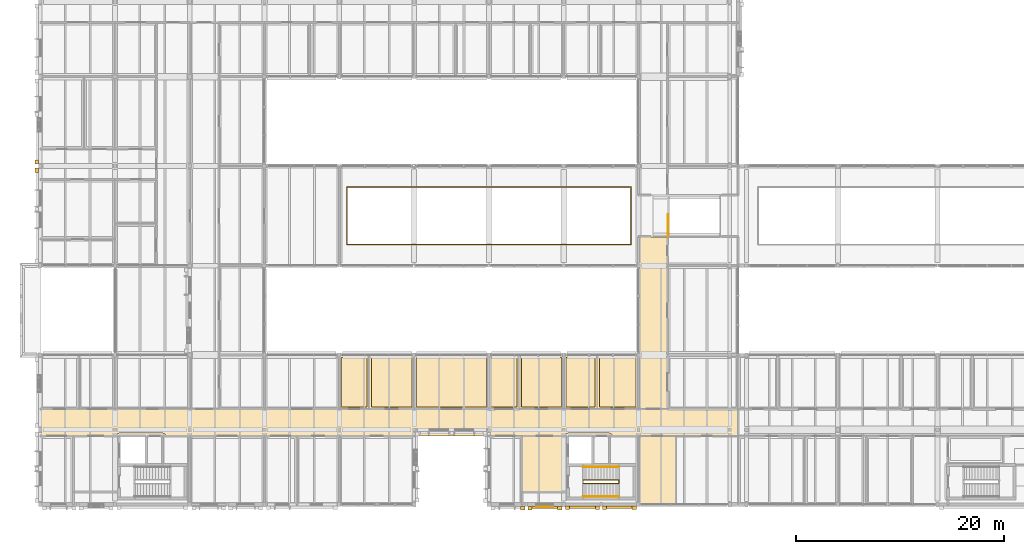
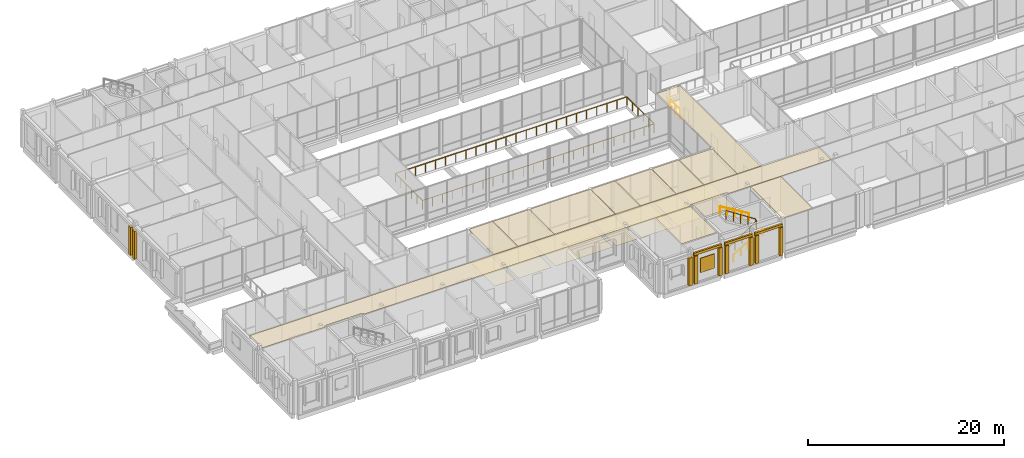
# One storey, part 134 of 146: 30 coverings, 5 railings, 1 shading device.
"""IFC4 building model written with IfcOpenShell, lengths in metres."""

from ifc_helpers import new_model, si_unit, direction, frame, origin, origin_2d, place, context, subcontext, project, spatial, polyline, rectangle, circle, outline, extrude, material, layer, layer_set, type_object, element, save


model = new_model("IFC4")

# Units and contexts
model_context = context("Model", 3, precision=1e-05, world=origin(), true_north=direction((0.0, 1.0)))
body_context = subcontext(model_context, "Body", "Model", "MODEL_VIEW")
ifc_project = project(units=[si_unit("LENGTHUNIT", "METRE"), si_unit("AREAUNIT", "SQUARE_METRE"), si_unit("VOLUMEUNIT", "CUBIC_METRE"), si_unit("PLANEANGLEUNIT", "RADIAN"), si_unit("MASSUNIT", "GRAM", prefix="KILO")], contexts=[model_context])

# Site, building, storey
site_placement = place(None, origin())
site = spatial("IfcSite", under=ifc_project, at=site_placement, CompositionType="ELEMENT")
building_placement = place(site_placement, origin())
building = spatial("IfcBuilding", under=site, at=building_placement, Name="Hawrajan Terrace Health Centre", CompositionType="ELEMENT")
storey_placement = place(building_placement, frame((0.0, 0.0, 4.5)))
storey = spatial("IfcBuildingStorey", under=building, at=storey_placement, Name="L01", CompositionType="ELEMENT", Elevation=4.5)

# Coverings
ifc_material_1 = material(Name="Precast concrete C40/50", Category="concrete")
ifc_layer_1 = layer(ifc_material_1, 0.219970703125)
ifc_layer_set_1 = layer_set([ifc_layer_1], Name="Precast concrete C40/50")
covering_type_1 = type_object("IfcCoveringType", Name="ArtDecoCorniceBand", PredefinedType="CLADDING", material=ifc_layer_set_1)
for number, where, z_axis, x_axis, name in (
    (1, (53.179931640625, 3.929931640625, 3.48974609375), (0.0, 0.0, 1.0), (1.0, 0.0, 0.0), "Art Deco limestone cornice band CRN-L01-0070"),
    (2, (56.820068359375, 3.93994140625, 3.48974609375), (0.0, 0.0, 1.0), (1.0, 0.0, 0.0), "Art Deco limestone cornice band CRN-L01-0074"),
):
    element("IfcCovering", number, at=place(storey_placement, frame(where, z_axis=z_axis, x_axis=x_axis)), inside=storey, type_object=covering_type_1, Name=name, PredefinedType="CLADDING", context=body_context, shape_type="SweptSolid", body=[
        extrude(rectangle(XDim=3.280029296875, YDim=0.219970703125, at=origin_2d()), origin(), (0.0, 0.0, 1.0), 0.300048828125),
    ])
covering_1_placement = place(storey_placement, frame((60.3701171875, 3.93994140625, 3.48974609375), z_axis=(0.0, 0.0, 1.0), x_axis=(1.0, 0.0, 0.0)))
element("IfcCovering", 3, at=covering_1_placement, inside=storey, type_object=covering_type_1, Name="Art Deco limestone cornice band CRN-L01-0075", PredefinedType="CLADDING", context=body_context, shape_type="SweptSolid", body=[
    extrude(rectangle(XDim=3.260009765625, YDim=0.219970703125, at=origin_2d()), origin(), (0.0, 0.0, 1.0), 0.300048828125),
])
ifc_layer_2 = layer(ifc_material_1, 0.340087890625)
ifc_layer_set_2 = layer_set([ifc_layer_2], Name="Precast concrete C40/50")
covering_type_2 = type_object("IfcCoveringType", Name="ArtDecoStonePilaster", PredefinedType="CLADDING", material=ifc_layer_set_2)
for number, where, z_axis, x_axis, name in (
    (4, (4.280029296875, 36.39990234375, 0.0), (0.0, 0.0, 1.0), (0.0, 1.0, 0.0), "Art Deco fluted limestone pilaster FPIL-L01-0073"),
    (5, (4.27001953125, 37.199951171875, 0.0), (0.0, 0.0, 1.0), (0.0, 1.0, 0.0), "Art Deco fluted limestone pilaster FPIL-L01-0075"),
    (6, (51.06005859375, 3.8701171875, 0.0), (0.0, 0.0, 1.0), (1.0, 0.0, 0.0), "Art Deco fluted limestone pilaster FPIL-L01-0114"),
    (7, (51.739990234375, 3.8701171875, 0.0), (0.0, 0.0, 1.0), (1.0, 0.0, 0.0), "Art Deco fluted limestone pilaster FPIL-L01-0115"),
    (8, (54.6201171875, 3.8701171875, 0.0), (0.0, 0.0, 1.0), (1.0, 0.0, 0.0), "Art Deco fluted limestone pilaster FPIL-L01-0116"),
    (9, (55.3798828125, 3.8798828125, 0.0), (0.0, 0.0, 1.0), (1.0, 0.0, 0.0), "Art Deco fluted limestone pilaster FPIL-L01-0124"),
    (10, (58.260009765625, 3.8798828125, 0.0), (0.0, 0.0, 1.0), (1.0, 0.0, 0.0), "Art Deco fluted limestone pilaster FPIL-L01-0125"),
    (11, (58.93994140625, 3.8798828125, 0.0), (0.0, 0.0, 1.0), (1.0, 0.0, 0.0), "Art Deco fluted limestone pilaster FPIL-L01-0126"),
    (12, (61.800048828125, 3.8798828125, 0.0), (0.0, 0.0, 1.0), (1.0, 0.0, 0.0), "Art Deco fluted limestone pilaster FPIL-L01-0127"),
):
    element("IfcCovering", number, at=place(storey_placement, frame(where, z_axis=z_axis, x_axis=x_axis)), inside=storey, type_object=covering_type_2, Name=name, PredefinedType="CLADDING", context=body_context, shape_type="SweptSolid", body=[
        extrude(rectangle(XDim=0.39990234375, YDim=0.340087890625, at=origin_2d()), origin(), (0.0, 0.0, 1.0), 3.47998046875),
    ])

# Railing
ifc_material_2 = material(Name="Anodized bronze and laminated glass balustrade", Category="glass")
railing_type_1 = type_object("IfcRailingType", Name="AtriumBalustrade_1120", PredefinedType="BALUSTRADE", material=ifc_material_2)
railing_1_placement = place(storey_placement, frame((34.1201171875, 29.219970703125, 0.0)))
element("IfcRailing", 13, at=railing_1_placement, inside=storey, type_object=railing_type_1, Name="Waiting Hall atrium gallery balustrade 1", PredefinedType="BALUSTRADE", context=body_context, shape_type="SweptSolid", body=[
    extrude(circle(Radius=0.02392578125, at=origin_2d()), frame((0.02880859375, 0.0, 1.09619140625), z_axis=(1.0, 0.0, 0.0), x_axis=(0.0, 1.0, 0.0)), (0.0, 0.0, 1.0), 27.30224609375),
    extrude(circle(Radius=0.02392578125, at=origin_2d()), frame((27.35986328125, 0.02880859375, 1.09619140625), z_axis=(0.0, 1.0, 0.0), x_axis=(-1.0, 0.0, 0.0)), (0.0, 0.0, 1.0), 5.50244140625),
    extrude(circle(Radius=0.02392578125, at=origin_2d()), frame((27.3310546875, 5.56005859375, 1.09619140625), z_axis=(-1.0, 0.0, 0.0), x_axis=(0.0, -1.0, 0.0)), (0.0, 0.0, 1.0), 27.30224609375),
    extrude(circle(Radius=0.02392578125, at=origin_2d()), frame((0.0, 5.53125, 1.09619140625), z_axis=(0.0, -1.0, 0.0), x_axis=(1.0, 0.0, 0.0)), (0.0, 0.0, 1.0), 5.50244140625),
    extrude(circle(Radius=0.02099609375, at=origin_2d()), origin(), (0.0, 0.0, 1.0), 1.067138671875),
    extrude(circle(Radius=0.02099609375, at=origin_2d()), frame((1.189453125, 0.0, 0.0)), (0.0, 0.0, 1.0), 1.067138671875),
    extrude(circle(Radius=0.02099609375, at=origin_2d()), frame((2.379150390625, 0.0, 0.0)), (0.0, 0.0, 1.0), 1.067138671875),
    extrude(circle(Radius=0.02099609375, at=origin_2d()), frame((3.568603515625, 0.0, 0.0)), (0.0, 0.0, 1.0), 1.067138671875),
    extrude(circle(Radius=0.02099609375, at=origin_2d()), frame((4.75830078125, 0.0, 0.0)), (0.0, 0.0, 1.0), 1.067138671875),
    extrude(circle(Radius=0.02099609375, at=origin_2d()), frame((5.94775390625, 0.0, 0.0)), (0.0, 0.0, 1.0), 1.067138671875),
    extrude(circle(Radius=0.02099609375, at=origin_2d()), frame((7.137451171875, 0.0, 0.0)), (0.0, 0.0, 1.0), 1.067138671875),
    extrude(circle(Radius=0.02099609375, at=origin_2d()), frame((8.326904296875, 0.0, 0.0)), (0.0, 0.0, 1.0), 1.067138671875),
    extrude(circle(Radius=0.02099609375, at=origin_2d()), frame((9.516357421875, 0.0, 0.0)), (0.0, 0.0, 1.0), 1.067138671875),
    extrude(circle(Radius=0.02099609375, at=origin_2d()), frame((10.7060546875, 0.0, 0.0)), (0.0, 0.0, 1.0), 1.067138671875),
    extrude(circle(Radius=0.02099609375, at=origin_2d()), frame((11.8955078125, 0.0, 0.0)), (0.0, 0.0, 1.0), 1.067138671875),
    extrude(circle(Radius=0.02099609375, at=origin_2d()), frame((13.085205078125, 0.0, 0.0)), (0.0, 0.0, 1.0), 1.067138671875),
    extrude(circle(Radius=0.02099609375, at=origin_2d()), frame((14.274658203125, 0.0, 0.0)), (0.0, 0.0, 1.0), 1.067138671875),
    extrude(circle(Radius=0.02099609375, at=origin_2d()), frame((15.46435546875, 0.0, 0.0)), (0.0, 0.0, 1.0), 1.067138671875),
    extrude(circle(Radius=0.02099609375, at=origin_2d()), frame((16.65380859375, 0.0, 0.0)), (0.0, 0.0, 1.0), 1.067138671875),
    extrude(circle(Radius=0.02099609375, at=origin_2d()), frame((17.843505859375, 0.0, 0.0)), (0.0, 0.0, 1.0), 1.067138671875),
    extrude(circle(Radius=0.02099609375, at=origin_2d()), frame((19.032958984375, 0.0, 0.0)), (0.0, 0.0, 1.0), 1.067138671875),
    extrude(circle(Radius=0.02099609375, at=origin_2d()), frame((20.222412109375, 0.0, 0.0)), (0.0, 0.0, 1.0), 1.067138671875),
    extrude(circle(Radius=0.02099609375, at=origin_2d()), frame((21.412109375, 0.0, 0.0)), (0.0, 0.0, 1.0), 1.067138671875),
    extrude(circle(Radius=0.02099609375, at=origin_2d()), frame((22.6015625, 0.0, 0.0)), (0.0, 0.0, 1.0), 1.067138671875),
    extrude(circle(Radius=0.02099609375, at=origin_2d()), frame((23.791259765625, 0.0, 0.0)), (0.0, 0.0, 1.0), 1.067138671875),
    extrude(circle(Radius=0.02099609375, at=origin_2d()), frame((24.980712890625, 0.0, 0.0)), (0.0, 0.0, 1.0), 1.067138671875),
    extrude(circle(Radius=0.02099609375, at=origin_2d()), frame((26.17041015625, 0.0, 0.0)), (0.0, 0.0, 1.0), 1.067138671875),
    extrude(circle(Radius=0.02099609375, at=origin_2d()), frame((27.35986328125, 0.0, 0.0)), (0.0, 0.0, 1.0), 1.067138671875),
    extrude(circle(Radius=0.02099609375, at=origin_2d()), frame((27.35986328125, 1.112060546875, 0.0)), (0.0, 0.0, 1.0), 1.067138671875),
    extrude(circle(Radius=0.02099609375, at=origin_2d()), frame((27.35986328125, 2.22412109375, 0.0)), (0.0, 0.0, 1.0), 1.067138671875),
    extrude(circle(Radius=0.02099609375, at=origin_2d()), frame((27.35986328125, 3.3359375, 0.0)), (0.0, 0.0, 1.0), 1.067138671875),
    extrude(circle(Radius=0.02099609375, at=origin_2d()), frame((27.35986328125, 4.447998046875, 0.0)), (0.0, 0.0, 1.0), 1.067138671875),
    extrude(circle(Radius=0.02099609375, at=origin_2d()), frame((27.35986328125, 5.56005859375, 0.0)), (0.0, 0.0, 1.0), 1.067138671875),
    extrude(circle(Radius=0.02099609375, at=origin_2d()), frame((26.17041015625, 5.56005859375, 0.0)), (0.0, 0.0, 1.0), 1.067138671875),
    extrude(circle(Radius=0.02099609375, at=origin_2d()), frame((24.980712890625, 5.56005859375, 0.0)), (0.0, 0.0, 1.0), 1.067138671875),
    extrude(circle(Radius=0.02099609375, at=origin_2d()), frame((23.791259765625, 5.56005859375, 0.0)), (0.0, 0.0, 1.0), 1.067138671875),
    extrude(circle(Radius=0.02099609375, at=origin_2d()), frame((22.6015625, 5.56005859375, 0.0)), (0.0, 0.0, 1.0), 1.067138671875),
    extrude(circle(Radius=0.02099609375, at=origin_2d()), frame((21.412109375, 5.56005859375, 0.0)), (0.0, 0.0, 1.0), 1.067138671875),
    extrude(circle(Radius=0.02099609375, at=origin_2d()), frame((20.222412109375, 5.56005859375, 0.0)), (0.0, 0.0, 1.0), 1.067138671875),
    extrude(circle(Radius=0.02099609375, at=origin_2d()), frame((19.032958984375, 5.56005859375, 0.0)), (0.0, 0.0, 1.0), 1.067138671875),
    extrude(circle(Radius=0.02099609375, at=origin_2d()), frame((17.843505859375, 5.56005859375, 0.0)), (0.0, 0.0, 1.0), 1.067138671875),
    extrude(circle(Radius=0.02099609375, at=origin_2d()), frame((16.65380859375, 5.56005859375, 0.0)), (0.0, 0.0, 1.0), 1.067138671875),
    extrude(circle(Radius=0.02099609375, at=origin_2d()), frame((15.46435546875, 5.56005859375, 0.0)), (0.0, 0.0, 1.0), 1.067138671875),
    extrude(circle(Radius=0.02099609375, at=origin_2d()), frame((14.274658203125, 5.56005859375, 0.0)), (0.0, 0.0, 1.0), 1.067138671875),
    extrude(circle(Radius=0.02099609375, at=origin_2d()), frame((13.085205078125, 5.56005859375, 0.0)), (0.0, 0.0, 1.0), 1.067138671875),
    extrude(circle(Radius=0.02099609375, at=origin_2d()), frame((11.8955078125, 5.56005859375, 0.0)), (0.0, 0.0, 1.0), 1.067138671875),
    extrude(circle(Radius=0.02099609375, at=origin_2d()), frame((10.7060546875, 5.56005859375, 0.0)), (0.0, 0.0, 1.0), 1.067138671875),
    extrude(circle(Radius=0.02099609375, at=origin_2d()), frame((9.516357421875, 5.56005859375, 0.0)), (0.0, 0.0, 1.0), 1.067138671875),
    extrude(circle(Radius=0.02099609375, at=origin_2d()), frame((8.326904296875, 5.56005859375, 0.0)), (0.0, 0.0, 1.0), 1.067138671875),
    extrude(circle(Radius=0.02099609375, at=origin_2d()), frame((7.137451171875, 5.56005859375, 0.0)), (0.0, 0.0, 1.0), 1.067138671875),
    extrude(circle(Radius=0.02099609375, at=origin_2d()), frame((5.94775390625, 5.56005859375, 0.0)), (0.0, 0.0, 1.0), 1.067138671875),
    extrude(circle(Radius=0.02099609375, at=origin_2d()), frame((4.75830078125, 5.56005859375, 0.0)), (0.0, 0.0, 1.0), 1.067138671875),
    extrude(circle(Radius=0.02099609375, at=origin_2d()), frame((3.568603515625, 5.56005859375, 0.0)), (0.0, 0.0, 1.0), 1.067138671875),
    extrude(circle(Radius=0.02099609375, at=origin_2d()), frame((2.379150390625, 5.56005859375, 0.0)), (0.0, 0.0, 1.0), 1.067138671875),
    extrude(circle(Radius=0.02099609375, at=origin_2d()), frame((1.189453125, 5.56005859375, 0.0)), (0.0, 0.0, 1.0), 1.067138671875),
    extrude(circle(Radius=0.02099609375, at=origin_2d()), frame((0.0, 5.56005859375, 0.0)), (0.0, 0.0, 1.0), 1.067138671875),
    extrude(circle(Radius=0.02099609375, at=origin_2d()), frame((0.0, 4.447998046875, 0.0)), (0.0, 0.0, 1.0), 1.067138671875),
    extrude(circle(Radius=0.02099609375, at=origin_2d()), frame((0.0, 3.3359375, 0.0)), (0.0, 0.0, 1.0), 1.067138671875),
    extrude(circle(Radius=0.02099609375, at=origin_2d()), frame((0.0, 2.22412109375, 0.0)), (0.0, 0.0, 1.0), 1.067138671875),
    extrude(circle(Radius=0.02099609375, at=origin_2d()), frame((0.0, 1.112060546875, 0.0)), (0.0, 0.0, 1.0), 1.067138671875),
])

# Coverings
ifc_material_3 = material(Name="Hygienic mineral-fibre acoustic tile ceiling")
ifc_layer_3 = layer(ifc_material_3, 0.02490234375)
ifc_layer_set_3 = layer_set([ifc_layer_3], Name="Hygienic mineral-fibre acoustic tile ceiling")
covering_type_3 = type_object("IfcCoveringType", Name="ClinicalAcousticCeiling_25", PredefinedType="CEILING", material=ifc_layer_set_3)
covering_2_placement = place(storey_placement, frame((0.0, 0.0, 4.155029296875)))
element("IfcCovering", 14, at=covering_2_placement, inside=storey, type_object=covering_type_3, Name="Suspended ceiling L01-023", PredefinedType="CEILING", context=body_context, shape_type="SweptSolid", body=[
    extrude(outline(polyline([(51.02001953125, 5.419921875), (51.02001953125, 10.780029296875), (55.1298828125, 10.780029296875), (55.1298828125, 5.419921875), (51.02001953125, 5.419921875)])), origin(), (0.0, 0.0, 1.0), 0.02490234375),
])
covering_3_placement = place(storey_placement, frame((0.0, 0.0, 4.155029296875)))
element("IfcCovering", 15, at=covering_3_placement, inside=storey, type_object=covering_type_3, Name="Suspended ceiling L01-029", PredefinedType="CEILING", context=body_context, shape_type="SweptSolid", body=[
    extrude(outline(polyline([(4.6201171875, 10.820068359375), (4.6201171875, 13.3798828125), (71.77490234375, 13.3798828125), (71.77490234375, 10.820068359375), (59.6689453125, 10.820068359375), (59.668701171875, 10.825439453125), (59.668701171875, 10.827392578125), (59.6650390625, 10.851806640625), (59.66455078125, 10.853515625), (59.65869140625, 10.87744140625), (59.658203125, 10.87939453125), (59.64990234375, 10.90234375), (59.64892578125, 10.904296875), (59.638671875, 10.926513671875), (59.6376953125, 10.927978515625), (59.625, 10.94921875), (59.623779296875, 10.95068359375), (59.609375, 10.970458984375), (59.608154296875, 10.971923828125), (59.591552734375, 10.990234375), (59.590087890625, 10.99169921875), (59.572021484375, 11.008056640625), (59.570556640625, 11.00927734375), (59.55078125, 11.02392578125), (59.54931640625, 11.02490234375), (59.528076171875, 11.03759765625), (59.5263671875, 11.03857421875), (59.504150390625, 11.049072265625), (59.50244140625, 11.0498046875), (59.479248046875, 11.05810546875), (59.477294921875, 11.05859375), (59.45361328125, 11.064697265625), (59.45166015625, 11.06494140625), (59.427490234375, 11.068603515625), (59.425537109375, 11.06884765625), (59.40087890625, 11.070068359375), (59.39990234375, 11.070068359375), (55.39990234375, 11.070068359375), (55.39892578125, 11.070068359375), (55.37451171875, 11.06884765625), (55.37255859375, 11.068603515625), (55.348388671875, 11.06494140625), (55.346435546875, 11.064697265625), (55.322509765625, 11.05859375), (55.32080078125, 11.05810546875), (55.297607421875, 11.0498046875), (55.2958984375, 11.049072265625), (55.273681640625, 11.03857421875), (55.27197265625, 11.03759765625), (55.250732421875, 11.02490234375), (55.249267578125, 11.02392578125), (55.2294921875, 11.00927734375), (55.22802734375, 11.008056640625), (55.209716796875, 10.99169921875), (55.20849609375, 10.990234375), (55.19189453125, 10.971923828125), (55.190673828125, 10.970458984375), (55.176025390625, 10.95068359375), (55.175048828125, 10.94921875), (55.162353515625, 10.927978515625), (55.161376953125, 10.926513671875), (55.15087890625, 10.904296875), (55.150146484375, 10.90234375), (55.141845703125, 10.87939453125), (55.141357421875, 10.87744140625), (55.135498046875, 10.853515625), (55.135009765625, 10.851806640625), (55.13134765625, 10.827392578125), (55.131103515625, 10.825439453125), (55.131103515625, 10.820068359375), (16.6689453125, 10.820068359375), (16.668701171875, 10.825439453125), (16.668701171875, 10.827392578125), (16.6650390625, 10.851806640625), (16.66455078125, 10.853515625), (16.65869140625, 10.87744140625), (16.658203125, 10.87939453125), (16.64990234375, 10.90234375), (16.64892578125, 10.904296875), (16.638671875, 10.926513671875), (16.6376953125, 10.927978515625), (16.625, 10.94921875), (16.623779296875, 10.95068359375), (16.609375, 10.970458984375), (16.608154296875, 10.971923828125), (16.591552734375, 10.990234375), (16.590087890625, 10.99169921875), (16.572021484375, 11.008056640625), (16.570556640625, 11.00927734375), (16.55078125, 11.02392578125), (16.54931640625, 11.02490234375), (16.528076171875, 11.03759765625), (16.5263671875, 11.03857421875), (16.504150390625, 11.049072265625), (16.50244140625, 11.0498046875), (16.479248046875, 11.05810546875), (16.477294921875, 11.05859375), (16.45361328125, 11.064697265625), (16.45166015625, 11.06494140625), (16.427490234375, 11.068603515625), (16.425537109375, 11.06884765625), (16.40087890625, 11.070068359375), (16.39990234375, 11.070068359375), (12.199951171875, 11.070068359375), (12.198974609375, 11.070068359375), (12.174560546875, 11.06884765625), (12.172607421875, 11.068603515625), (12.148193359375, 11.06494140625), (12.146484375, 11.064697265625), (12.12255859375, 11.05859375), (12.12060546875, 11.05810546875), (12.09765625, 11.0498046875), (12.095703125, 11.049072265625), (12.073486328125, 11.03857421875), (12.072021484375, 11.03759765625), (12.05078125, 11.02490234375), (12.04931640625, 11.02392578125), (12.029541015625, 11.00927734375), (12.028076171875, 11.008056640625), (12.009765625, 10.99169921875), (12.00830078125, 10.990234375), (11.991943359375, 10.971923828125), (11.99072265625, 10.970458984375), (11.97607421875, 10.95068359375), (11.97509765625, 10.94921875), (11.96240234375, 10.927978515625), (11.96142578125, 10.926513671875), (11.950927734375, 10.904296875), (11.9501953125, 10.90234375), (11.94189453125, 10.87939453125), (11.94140625, 10.87744140625), (11.935302734375, 10.853515625), (11.93505859375, 10.851806640625), (11.931396484375, 10.827392578125), (11.93115234375, 10.825439453125), (11.930908203125, 10.820068359375), (4.6201171875, 10.820068359375)])), origin(), (0.0, 0.0, 1.0), 0.02490234375),
])
covering_4_placement = place(storey_placement, frame((0.0, 0.0, 4.155029296875)))
element("IfcCovering", 16, at=covering_4_placement, inside=storey, type_object=covering_type_3, Name="Suspended ceiling L01-057", PredefinedType="CEILING", context=body_context, shape_type="SweptSolid", body=[
    extrude(outline(polyline([(62.219970703125, 29.97998046875), (64.97998046875, 29.97998046875), (64.97998046875, 13.419921875), (62.219970703125, 13.419921875), (62.219970703125, 29.97998046875)])), origin(), (0.0, 0.0, 1.0), 0.02490234375),
])
covering_5_placement = place(storey_placement, frame((0.0, 0.0, 4.155029296875)))
element("IfcCovering", 17, at=covering_5_placement, inside=storey, type_object=covering_type_3, Name="Suspended ceiling L01-062", PredefinedType="CEILING", context=body_context, shape_type="SweptSolid", body=[
    extrude(outline(polyline([(62.219970703125, 10.780029296875), (65.780029296875, 10.780029296875), (65.780029296875, 4.219970703125), (62.219970703125, 4.219970703125), (62.219970703125, 10.780029296875)])), origin(), (0.0, 0.0, 1.0), 0.02490234375),
])
covering_6_placement = place(storey_placement, frame((0.0, 0.0, 4.155029296875)))
element("IfcCovering", 18, at=covering_6_placement, inside=storey, type_object=covering_type_3, Name="Suspended ceiling L01-106", PredefinedType="CEILING", context=body_context, shape_type="SweptSolid", body=[
    extrude(outline(polyline([(47.820068359375, 18.580078125), (50.71044921875, 18.580078125), (50.71044921875, 13.419921875), (47.820068359375, 13.419921875), (47.820068359375, 18.580078125)])), origin(), (0.0, 0.0, 1.0), 0.02490234375),
])
covering_7_placement = place(storey_placement, frame((0.0, 0.0, 4.155029296875)))
element("IfcCovering", 19, at=covering_7_placement, inside=storey, type_object=covering_type_3, Name="Suspended ceiling L01-107", PredefinedType="CEILING", context=body_context, shape_type="SweptSolid", body=[
    extrude(outline(polyline([(50.75048828125, 18.580078125), (54.97998046875, 18.580078125), (54.97998046875, 13.419921875), (50.75048828125, 13.419921875), (50.75048828125, 18.580078125)])), origin(), (0.0, 0.0, 1.0), 0.02490234375),
])
covering_8_placement = place(storey_placement, frame((0.0, 0.0, 4.155029296875)))
element("IfcCovering", 20, at=covering_8_placement, inside=storey, type_object=covering_type_3, Name="Suspended ceiling L01-108", PredefinedType="CEILING", context=body_context, shape_type="SweptSolid", body=[
    extrude(outline(polyline([(55.02001953125, 18.580078125), (58.212890625, 18.580078125), (58.212890625, 13.419921875), (55.02001953125, 13.419921875), (55.02001953125, 18.580078125)])), origin(), (0.0, 0.0, 1.0), 0.02490234375),
])
covering_9_placement = place(storey_placement, frame((0.0, 0.0, 4.155029296875)))
element("IfcCovering", 21, at=covering_9_placement, inside=storey, type_object=covering_type_3, Name="Suspended ceiling L01-109", PredefinedType="CEILING", context=body_context, shape_type="SweptSolid", body=[
    extrude(outline(polyline([(58.252685546875, 18.580078125), (62.179931640625, 18.580078125), (62.179931640625, 13.419921875), (58.252685546875, 13.419921875), (58.252685546875, 18.580078125)])), origin(), (0.0, 0.0, 1.0), 0.02490234375),
])
covering_10_placement = place(storey_placement, frame((0.0, 0.0, 4.155029296875)))
element("IfcCovering", 22, at=covering_10_placement, inside=storey, type_object=covering_type_3, Name="Suspended ceiling L01-138", PredefinedType="CEILING", context=body_context, shape_type="SweptSolid", body=[
    extrude(outline(polyline([(33.419921875, 18.580078125), (36.24560546875, 18.580078125), (36.24560546875, 13.419921875), (33.419921875, 13.419921875), (33.419921875, 18.580078125)])), origin(), (0.0, 0.0, 1.0), 0.02490234375),
])
covering_11_placement = place(storey_placement, frame((0.0, 0.0, 4.155029296875)))
element("IfcCovering", 23, at=covering_11_placement, inside=storey, type_object=covering_type_3, Name="Suspended ceiling L01-139", PredefinedType="CEILING", context=body_context, shape_type="SweptSolid", body=[
    extrude(outline(polyline([(36.28564453125, 18.580078125), (40.580078125, 18.580078125), (40.580078125, 13.419921875), (36.28564453125, 13.419921875), (36.28564453125, 18.580078125)])), origin(), (0.0, 0.0, 1.0), 0.02490234375),
])
covering_12_placement = place(storey_placement, frame((0.0, 0.0, 4.155029296875)))
element("IfcCovering", 24, at=covering_12_placement, inside=storey, type_object=covering_type_3, Name="Suspended ceiling L01-140", PredefinedType="CEILING", context=body_context, shape_type="SweptSolid", body=[
    extrude(outline(polyline([(40.6201171875, 18.580078125), (47.780029296875, 18.580078125), (47.780029296875, 13.419921875), (40.6201171875, 13.419921875), (40.6201171875, 18.580078125)])), origin(), (0.0, 0.0, 1.0), 0.02490234375),
])
ifc_material_4 = material(Name="Seamless medical-grade cushioned vinyl flooring")
ifc_layer_4 = layer(ifc_material_4, 0.011962890625)
ifc_layer_set_4 = layer_set([ifc_layer_4], Name="Seamless medical-grade cushioned vinyl flooring")
covering_type_4 = type_object("IfcCoveringType", Name="ClinicalVinylFlooring_12", PredefinedType="FLOORING", material=ifc_layer_set_4)
covering_13_placement = place(storey_placement, origin())
element("IfcCovering", 25, at=covering_13_placement, inside=storey, type_object=covering_type_4, Name="Floor finish L01-106", PredefinedType="FLOORING", context=body_context, shape_type="SweptSolid", body=[
    extrude(outline(polyline([(48.02001953125, 18.3798828125), (50.510498046875, 18.3798828125), (50.510498046875, 13.6201171875), (48.02001953125, 13.6201171875), (48.02001953125, 18.3798828125)])), origin(), (0.0, 0.0, 1.0), 0.011962890625),
])
covering_14_placement = place(storey_placement, origin())
element("IfcCovering", 26, at=covering_14_placement, inside=storey, type_object=covering_type_4, Name="Floor finish L01-107", PredefinedType="FLOORING", context=body_context, shape_type="SweptSolid", body=[
    extrude(outline(polyline([(50.950439453125, 18.3798828125), (54.780029296875, 18.3798828125), (54.780029296875, 13.6201171875), (50.950439453125, 13.6201171875), (50.950439453125, 18.3798828125)])), origin(), (0.0, 0.0, 1.0), 0.011962890625),
])
covering_15_placement = place(storey_placement, origin())
element("IfcCovering", 27, at=covering_15_placement, inside=storey, type_object=covering_type_4, Name="Floor finish L01-108", PredefinedType="FLOORING", context=body_context, shape_type="SweptSolid", body=[
    extrude(outline(polyline([(55.219970703125, 18.3798828125), (58.0126953125, 18.3798828125), (58.0126953125, 13.6201171875), (55.219970703125, 13.6201171875), (55.219970703125, 18.3798828125)])), origin(), (0.0, 0.0, 1.0), 0.011962890625),
])
covering_16_placement = place(storey_placement, origin())
element("IfcCovering", 28, at=covering_16_placement, inside=storey, type_object=covering_type_4, Name="Floor finish L01-109", PredefinedType="FLOORING", context=body_context, shape_type="SweptSolid", body=[
    extrude(outline(polyline([(58.452880859375, 18.3798828125), (61.97998046875, 18.3798828125), (61.97998046875, 13.6201171875), (58.452880859375, 13.6201171875), (58.452880859375, 18.3798828125)])), origin(), (0.0, 0.0, 1.0), 0.011962890625),
])
covering_17_placement = place(storey_placement, origin())
element("IfcCovering", 29, at=covering_17_placement, inside=storey, type_object=covering_type_4, Name="Floor finish L01-138", PredefinedType="FLOORING", context=body_context, shape_type="SweptSolid", body=[
    extrude(outline(polyline([(33.6201171875, 18.3798828125), (36.045654296875, 18.3798828125), (36.045654296875, 13.6201171875), (33.6201171875, 13.6201171875), (33.6201171875, 18.3798828125)])), origin(), (0.0, 0.0, 1.0), 0.011962890625),
])
covering_18_placement = place(storey_placement, origin())
element("IfcCovering", 30, at=covering_18_placement, inside=storey, type_object=covering_type_4, Name="Floor finish L01-139", PredefinedType="FLOORING", context=body_context, shape_type="SweptSolid", body=[
    extrude(outline(polyline([(36.485595703125, 18.3798828125), (40.3798828125, 18.3798828125), (40.3798828125, 13.6201171875), (36.485595703125, 13.6201171875), (36.485595703125, 18.3798828125)])), origin(), (0.0, 0.0, 1.0), 0.011962890625),
])
covering_19_placement = place(storey_placement, origin())
element("IfcCovering", 31, at=covering_19_placement, inside=storey, type_object=covering_type_4, Name="Floor finish L01-140", PredefinedType="FLOORING", context=body_context, shape_type="SweptSolid", body=[
    extrude(outline(polyline([(40.820068359375, 18.3798828125), (47.580078125, 18.3798828125), (47.580078125, 13.6201171875), (40.820068359375, 13.6201171875), (40.820068359375, 18.3798828125)])), origin(), (0.0, 0.0, 1.0), 0.011962890625),
])

# Shading device
ifc_material_5 = material(Name="Anodized bronze and cedar roshan lattice")
ifc_layer_5 = layer(ifc_material_5, 0.080078125)
ifc_layer_set_5 = layer_set([ifc_layer_5], Name="Anodized bronze and cedar roshan lattice")
shading_device_type = type_object("IfcShadingDeviceType", Name="RoshanScreen_BronzeCedar", PredefinedType="JALOUSIE", material=ifc_layer_set_5)
shading_device_placement = place(storey_placement, frame((53.179931640625, 3.9951171875, 1.0), z_axis=(0.0, 0.0, 1.0), x_axis=(1.0, 0.0, 0.0)))
element("IfcShadingDevice", 32, at=shading_device_placement, inside=storey, type_object=shading_device_type, Name="Hijazi roshan solar screen RSH-L01-084", PredefinedType="JALOUSIE", context=body_context, shape_type="SweptSolid", body=[
    extrude(rectangle(XDim=1.659912109375, YDim=0.080078125, at=origin_2d()), origin(), (0.0, 0.0, 1.0), 1.800048828125),
])

# Railings
ifc_material_6 = material(Name="Brushed stainless steel tubular handrail", Category="steel")
railing_type_2 = type_object("IfcRailingType", Name="StairHandrail_900", PredefinedType="HANDRAIL", material=ifc_material_6)
railing_2_placement = place(storey_placement, frame((56.875, 5.0, 0.173095703125)))
element("IfcRailing", 33, at=railing_2_placement, inside=storey, type_object=railing_type_2, Name="Stair handrail ST-4-L01-H1", PredefinedType="HANDRAIL", context=body_context, shape_type="SweptSolid", body=[
    extrude(circle(Radius=0.02392578125, at=origin_2d()), frame((0.024658203125, 0.0, 0.890625), z_axis=(0.856732359591, 0.0, 0.515761247119), x_axis=(0.0, 1.0, 0.0)), (0.0, 0.0, 1.0), 3.96923828125),
    extrude(circle(Radius=0.02099609375, at=origin_2d()), origin(), (0.0, 0.0, 1.0), 0.846923828125),
    extrude(circle(Radius=0.02099609375, at=origin_2d()), frame((0.862548828125, 0.0, 0.519287109375)), (0.0, 0.0, 1.0), 0.846923828125),
    extrude(circle(Radius=0.02099609375, at=origin_2d()), frame((1.72509765625, 0.0, 1.03857421875)), (0.0, 0.0, 1.0), 0.846923828125),
    extrude(circle(Radius=0.02099609375, at=origin_2d()), frame((2.58740234375, 0.0, 1.5576171875)), (0.0, 0.0, 1.0), 0.846923828125),
    extrude(circle(Radius=0.02099609375, at=origin_2d()), frame((3.449951171875, 0.0, 2.076904296875)), (0.0, 0.0, 1.0), 0.846923828125),
])
railing_3_placement = place(storey_placement, frame((60.324951171875, 7.800048828125, 2.423095703125)))
element("IfcRailing", 34, at=railing_3_placement, inside=storey, type_object=railing_type_2, Name="Stair handrail ST-4-L01-H2", PredefinedType="HANDRAIL", context=body_context, shape_type="SweptSolid", body=[
    extrude(circle(Radius=0.02392578125, at=origin_2d()), frame((-0.024658203125, 0.0, 0.890625), z_axis=(-0.856732359591, 0.0, 0.515761247119), x_axis=(0.0, -1.0, 0.0)), (0.0, 0.0, 1.0), 3.96923828125),
    extrude(circle(Radius=0.02099609375, at=origin_2d()), origin(), (0.0, 0.0, 1.0), 0.846923828125),
    extrude(circle(Radius=0.02099609375, at=origin_2d()), frame((-0.862548828125, 0.0, 0.519287109375)), (0.0, 0.0, 1.0), 0.846923828125),
    extrude(circle(Radius=0.02099609375, at=origin_2d()), frame((-1.72509765625, 0.0, 1.03857421875)), (0.0, 0.0, 1.0), 0.846923828125),
    extrude(circle(Radius=0.02099609375, at=origin_2d()), frame((-2.58740234375, 0.0, 1.5576171875)), (0.0, 0.0, 1.0), 0.846923828125),
    extrude(circle(Radius=0.02099609375, at=origin_2d()), frame((-3.449951171875, 0.0, 2.076904296875)), (0.0, 0.0, 1.0), 0.846923828125),
])
ifc_material_7 = material(Name="Painted steel stair well guard", Category="steel")
railing_type_3 = type_object("IfcRailingType", Name="StairWellGuard_1120", PredefinedType="GUARDRAIL", material=ifc_material_7)
railing_4_placement = place(storey_placement, frame((56.89990234375, 6.219970703125, 0.0)))
element("IfcRailing", 35, at=railing_4_placement, inside=storey, type_object=railing_type_3, Name="Stair well guard ST-4-L01-G1", PredefinedType="GUARDRAIL", context=body_context, shape_type="SweptSolid", body=[
    extrude(circle(Radius=0.02392578125, at=origin_2d()), frame((0.024169921875, 0.0, 1.112060546875), z_axis=(0.833943147616, 0.0, 0.551850366082), x_axis=(0.0, 1.0, 0.0)), (0.0, 0.0, 1.0), 4.01953125),
    extrude(circle(Radius=0.02392578125, at=origin_2d()), frame((3.404052734375, 0.028564453125, 3.34619140625), z_axis=(0.137659871128, 0.990479560557, 0.0), x_axis=(-0.990479560557, 0.137659871128, 0.0)), (0.0, 0.0, 1.0), 0.305908203125),
    extrude(circle(Radius=0.02392578125, at=origin_2d()), frame((3.426025390625, 0.360107421875, 3.36181640625), z_axis=(-0.837624746251, 0.0, 0.546246084167), x_axis=(0.0, -1.0, 0.0)), (0.0, 0.0, 1.0), 4.061279296875),
    extrude(circle(Radius=0.02099609375, at=origin_2d()), origin(), (0.0, 0.0, 1.0), 1.067138671875),
    extrude(circle(Radius=0.02099609375, at=origin_2d()), frame((0.85009765625, 0.0, 0.5625)), (0.0, 0.0, 1.0), 1.067138671875),
    extrude(circle(Radius=0.02099609375, at=origin_2d()), frame((1.7001953125, 0.0, 1.125)), (0.0, 0.0, 1.0), 1.067138671875),
    extrude(circle(Radius=0.02099609375, at=origin_2d()), frame((2.550048828125, 0.0, 1.6875)), (0.0, 0.0, 1.0), 1.067138671875),
    extrude(circle(Radius=0.02099609375, at=origin_2d()), frame((3.400146484375, 0.0, 2.25)), (0.0, 0.0, 1.0), 1.067138671875),
    extrude(circle(Radius=0.02099609375, at=origin_2d()), frame((3.4501953125, 0.360107421875, 2.25)), (0.0, 0.0, 1.0), 1.067138671875),
    extrude(circle(Radius=0.02099609375, at=origin_2d()), frame((2.587646484375, 0.360107421875, 2.8125)), (0.0, 0.0, 1.0), 1.067138671875),
    extrude(circle(Radius=0.02099609375, at=origin_2d()), frame((1.72509765625, 0.360107421875, 3.375)), (0.0, 0.0, 1.0), 1.067138671875),
    extrude(circle(Radius=0.02099609375, at=origin_2d()), frame((0.862548828125, 0.360107421875, 3.9375)), (0.0, 0.0, 1.0), 1.067138671875),
    extrude(circle(Radius=0.02099609375, at=origin_2d()), frame((0.0, 0.360107421875, 4.5)), (0.0, 0.0, 1.0), 1.067138671875),
])
railing_5_placement = place(storey_placement, frame((65.06005859375, 30.0, 0.0)))
element("IfcRailing", 36, at=railing_5_placement, inside=storey, type_object=railing_type_3, Name="Feature stair well drop guard", PredefinedType="GUARDRAIL", context=body_context, shape_type="SweptSolid", body=[
    extrude(circle(Radius=0.02392578125, at=origin_2d()), frame((0.0, 0.02880859375, 1.09619140625), z_axis=(0.0, 1.0, 0.0), x_axis=(-1.0, 0.0, 0.0)), (0.0, 0.0, 1.0), 2.082275390625),
    extrude(circle(Radius=0.02099609375, at=origin_2d()), origin(), (0.0, 0.0, 1.0), 1.067138671875),
    extrude(circle(Radius=0.02099609375, at=origin_2d()), frame((0.0, 1.06982421875, 0.0)), (0.0, 0.0, 1.0), 1.067138671875),
    extrude(circle(Radius=0.02099609375, at=origin_2d()), frame((0.0, 2.139892578125, 0.0)), (0.0, 0.0, 1.0), 1.067138671875),
])

save(model, "model.ifc")
